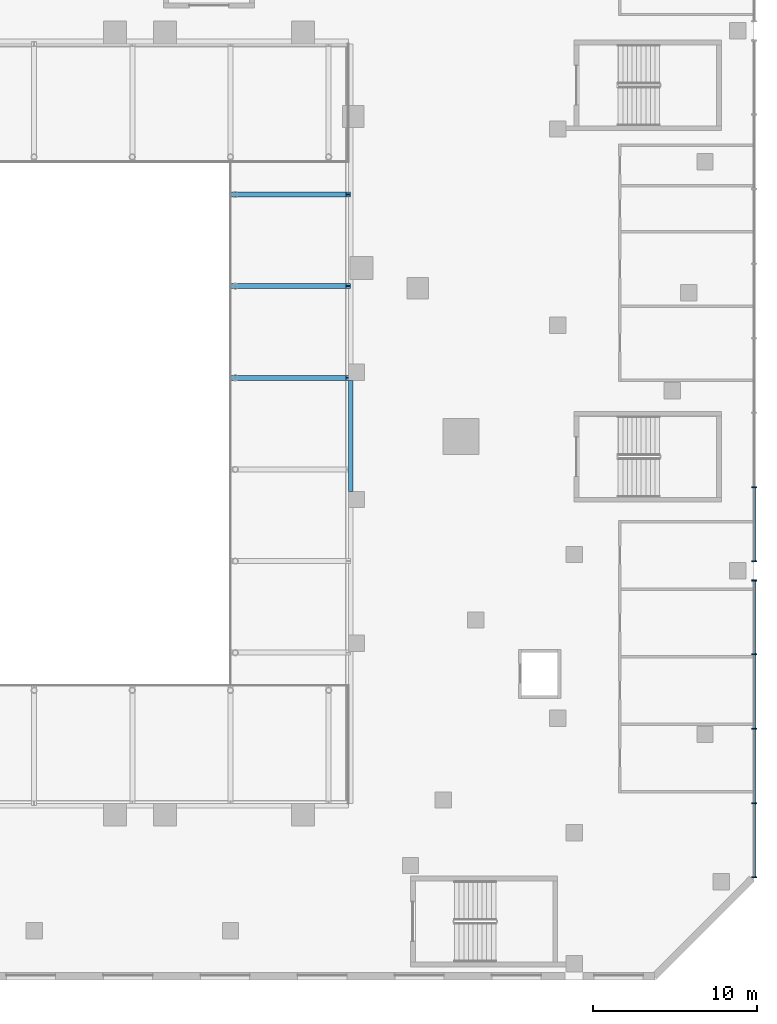
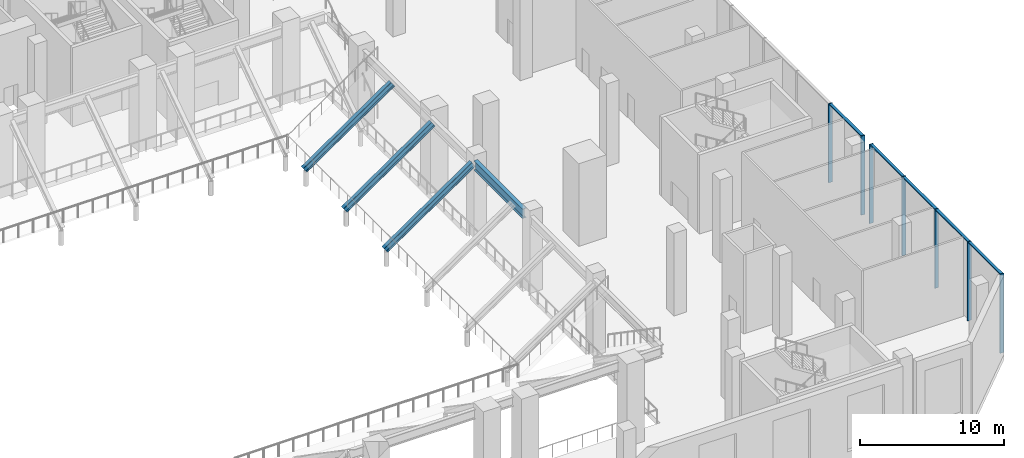
# One storey, part 13 of 41: 12 members, 4 beams, 2 elements without a shape of their own.
"""IFC4 building model written with IfcOpenShell, lengths in metres."""

from ifc_helpers import new_model, si_unit, direction, frame, origin, origin_2d, place, context, subcontext, project, spatial, rectangle, i_section, extrude, material, material_profile, profile_set, type_object, element, aggregate, save


model = new_model("IFC4")

# Units and contexts
model_context = context("Model", 3, precision=1e-05, world=origin(), true_north=direction((0.0, 1.0)))
body_context = subcontext(model_context, "Body", "Model", "MODEL_VIEW")
ifc_project = project(units=[si_unit("LENGTHUNIT", "METRE"), si_unit("AREAUNIT", "SQUARE_METRE"), si_unit("VOLUMEUNIT", "CUBIC_METRE"), si_unit("PLANEANGLEUNIT", "RADIAN"), si_unit("MASSUNIT", "GRAM", prefix="KILO")], contexts=[model_context])

# Site, building, storey
site_placement = place(None, origin())
site = spatial("IfcSite", under=ifc_project, at=site_placement, CompositionType="ELEMENT")
building_placement = place(site_placement, origin())
building = spatial("IfcBuilding", under=site, at=building_placement, Name="Wharfspan Tower", CompositionType="ELEMENT")
storey_placement = place(building_placement, frame((0.0, 0.0, 8.0)))
storey = spatial("IfcBuildingStorey", under=building, at=storey_placement, Name="L01", CompositionType="ELEMENT", Elevation=8.0)

# Curtain wall, members
ifc_material_1 = material(Name="Aluminium 6063-T6", Category="aluminium")
curtain_wall_type = type_object("IfcCurtainWallType", Name="CURTAIN WALL ARENA STICK WALL", PredefinedType="NOTDEFINED", material=ifc_material_1)
curtain_wall_1_placement = place(storey_placement, origin())
curtain_wall_1 = element("IfcCurtainWall", 1, at=curtain_wall_1_placement, inside=storey, type_object=curtain_wall_type, Name="Concourse stick wall PF3.1", PredefinedType="NOTDEFINED")
ifc_material_profile_1 = material_profile(ifc_material_1, rectangle(XDim=0.300049, YDim=0.070068, at=origin_2d()))
ifc_profile_set_1 = profile_set([ifc_material_profile_1], Name="Aluminium 6063-T6")
member_type_1 = type_object("IfcMemberType", Name="MULLION ARENA STICK WALL 70x300", PredefinedType="MULLION", material=ifc_profile_set_1)
member_1_placement = place(storey_placement, frame((108.0, -25.715088, 0.0), z_axis=(0.0, 0.0, 1.0), x_axis=(-1.0, 0.0, 0.0)))
member_1 = element("IfcMember", 2, at=member_1_placement, type_object=member_type_1, Name="Concourse stick wall PF3.1 mullion 1", PredefinedType="MULLION", context=body_context, shape_type="SweptSolid", body=[
    extrude(rectangle(XDim=0.300049, YDim=0.070068, at=origin_2d()), origin(), (0.0, 0.0, 1.0), 6.699951),
])
member_2_placement = place(storey_placement, frame((108.0, -21.199951, 0.0), z_axis=(0.0, 0.0, 1.0), x_axis=(-1.0, 0.0, 0.0)))
member_2 = element("IfcMember", 3, at=member_2_placement, type_object=member_type_1, Name="Concourse stick wall PF3.1 mullion 2", PredefinedType="MULLION", context=body_context, shape_type="SweptSolid", body=[
    extrude(rectangle(XDim=0.300049, YDim=0.070068, at=origin_2d()), origin(), (0.0, 0.0, 1.0), 6.699951),
])
member_3_placement = place(storey_placement, frame((108.0, -16.649902, 0.0), z_axis=(0.0, 0.0, 1.0), x_axis=(-1.0, 0.0, 0.0)))
member_3 = element("IfcMember", 4, at=member_3_placement, type_object=member_type_1, Name="Concourse stick wall PF3.1 mullion 3", PredefinedType="MULLION", context=body_context, shape_type="SweptSolid", body=[
    extrude(rectangle(XDim=0.300049, YDim=0.070068, at=origin_2d()), origin(), (0.0, 0.0, 1.0), 6.699951),
])
member_4_placement = place(storey_placement, frame((108.0, -12.100098, 0.0), z_axis=(0.0, 0.0, 1.0), x_axis=(-1.0, 0.0, 0.0)))
member_4 = element("IfcMember", 5, at=member_4_placement, type_object=member_type_1, Name="Concourse stick wall PF3.1 mullion 4", PredefinedType="MULLION", context=body_context, shape_type="SweptSolid", body=[
    extrude(rectangle(XDim=0.300049, YDim=0.070068, at=origin_2d()), origin(), (0.0, 0.0, 1.0), 6.699951),
])
member_5_placement = place(storey_placement, frame((108.0, -7.584961, 0.0), z_axis=(0.0, 0.0, 1.0), x_axis=(-1.0, 0.0, 0.0)))
member_5 = element("IfcMember", 6, at=member_5_placement, type_object=member_type_1, Name="Concourse stick wall PF3.1 mullion 5", PredefinedType="MULLION", context=body_context, shape_type="SweptSolid", body=[
    extrude(rectangle(XDim=0.300049, YDim=0.070068, at=origin_2d()), origin(), (0.0, 0.0, 1.0), 6.699951),
])

curtain_wall_2_placement = place(storey_placement, origin())
curtain_wall_2 = element("IfcCurtainWall", 7, at=curtain_wall_2_placement, inside=storey, type_object=curtain_wall_type, Name="Concourse stick wall PF3.2", PredefinedType="NOTDEFINED")
member_6_placement = place(storey_placement, frame((108.0, -6.415039, 0.0), z_axis=(0.0, 0.0, 1.0), x_axis=(-1.0, 0.0, 0.0)))
member_6 = element("IfcMember", 8, at=member_6_placement, type_object=member_type_1, Name="Concourse stick wall PF3.2 mullion 1", PredefinedType="MULLION", context=body_context, shape_type="SweptSolid", body=[
    extrude(rectangle(XDim=0.300049, YDim=0.070068, at=origin_2d()), origin(), (0.0, 0.0, 1.0), 6.699951),
])
member_7_placement = place(storey_placement, frame((108.0, -1.892822, 0.0), z_axis=(0.0, 0.0, 1.0), x_axis=(-1.0, 0.0, 0.0)))
member_7 = element("IfcMember", 9, at=member_7_placement, type_object=member_type_1, Name="Concourse stick wall PF3.2 mullion 2", PredefinedType="MULLION", context=body_context, shape_type="SweptSolid", body=[
    extrude(rectangle(XDim=0.300049, YDim=0.070068, at=origin_2d()), origin(), (0.0, 0.0, 1.0), 6.699951),
])

# Beams
ifc_material_2 = material(Name="Steel S460M", Category="steel")
ifc_material_profile_2 = material_profile(ifc_material_2, i_section(OverallWidth=0.305908, OverallDepth=0.523926, WebThickness=0.020996, FlangeThickness=0.040039, FilletRadius=0.0271, at=origin_2d()))
ifc_profile_set_2 = profile_set([ifc_material_profile_2], Name="Steel S460M")
beam_type_1 = type_object("IfcBeamType", Name="Raker beam HE 500 M", PredefinedType="BEAM", material=ifc_profile_set_2)
for number, where, z_axis, x_axis, name in (
    (10, (76.148438, 4.800049, 1.384033), (0.824029, 0.0, 0.566547), (0.0, 1.0, 0.0), "Upper tier raker beam"),
    (11, (76.148438, 10.399902, 1.384033), (0.824029, 0.0, 0.566547), (0.0, 1.0, 0.0), "Upper tier raker beam"),
    (12, (76.148438, 16.0, 1.384033), (0.824029, 0.0, 0.566547), (0.0, 1.0, 0.0), "Upper tier raker beam"),
):
    element("IfcBeam", number, at=place(storey_placement, frame(where, z_axis=z_axis, x_axis=x_axis)), inside=storey, type_object=beam_type_1, Name=name, PredefinedType="BEAM", context=body_context, shape_type="SweptSolid", body=[
        extrude(i_section(OverallWidth=0.305908, OverallDepth=0.523926, WebThickness=0.020996, FlangeThickness=0.040039, FilletRadius=0.0271, at=origin_2d()), origin(), (0.0, 0.0, 1.0), 8.557373),
    ])
ifc_material_profile_3 = material_profile(ifc_material_2, i_section(OverallWidth=0.302979, OverallDepth=0.813965, WebThickness=0.020996, FlangeThickness=0.040039, FilletRadius=0.030029, at=origin_2d()))
ifc_profile_set_3 = profile_set([ifc_material_profile_3], Name="Steel S460M")
beam_type_2 = type_object("IfcBeamType", Name="Ring girder HE 800 M", PredefinedType="BEAM", material=ifc_profile_set_3)
beam_placement = place(storey_placement, frame((83.351562, -2.139893, 6.143066), z_axis=(0.0, 1.0, 0.0), x_axis=(-1.0, 0.0, 0.0)))
element("IfcBeam", 13, at=beam_placement, inside=storey, type_object=beam_type_2, Name="Ring girder of the upper tier", PredefinedType="BEAM", context=body_context, shape_type="SweptSolid", body=[
    extrude(i_section(OverallWidth=0.302979, OverallDepth=0.813965, WebThickness=0.020996, FlangeThickness=0.040039, FilletRadius=0.030029, at=origin_2d()), origin(), (0.0, 0.0, 1.0), 6.779785),
])

# Member
ifc_material_profile_4 = material_profile(ifc_material_1, rectangle(XDim=0.219971, YDim=0.090088, at=origin_2d()))
ifc_profile_set_4 = profile_set([ifc_material_profile_4], Name="Aluminium 6063-T6")
member_type_2 = type_object("IfcMemberType", Name="TRANSOM ARENA STICK WALL 90x220", PredefinedType="USERDEFINED", material=ifc_profile_set_4)
member_8_placement = place(storey_placement, frame((108.0, -25.679932, 6.655029), z_axis=(0.0, 1.0, 0.0), x_axis=(-1.0, 0.0, 0.0)))
member_8 = element("IfcMember", 14, at=member_8_placement, type_object=member_type_2, Name="Concourse stick wall PF3.1 transom 1", ObjectType="TRANSOM", PredefinedType="USERDEFINED", context=body_context, shape_type="SweptSolid", body=[
    extrude(rectangle(XDim=0.219971, YDim=0.090088, at=origin_2d()), origin(), (0.0, 0.0, 1.0), 4.444824),
])

member_9_placement = place(storey_placement, frame((108.0, -21.165039, 6.655029), z_axis=(0.0, 1.0, 0.0), x_axis=(-1.0, 0.0, 0.0)))
member_9 = element("IfcMember", 15, at=member_9_placement, type_object=member_type_2, Name="Concourse stick wall PF3.1 transom 2", ObjectType="TRANSOM", PredefinedType="USERDEFINED", context=body_context, shape_type="SweptSolid", body=[
    extrude(rectangle(XDim=0.219971, YDim=0.090088, at=origin_2d()), origin(), (0.0, 0.0, 1.0), 4.47998),
])

member_10_placement = place(storey_placement, frame((108.0, -16.61499, 6.655029), z_axis=(0.0, 1.0, 0.0), x_axis=(-1.0, 0.0, 0.0)))
member_10 = element("IfcMember", 16, at=member_10_placement, type_object=member_type_2, Name="Concourse stick wall PF3.1 transom 3", ObjectType="TRANSOM", PredefinedType="USERDEFINED", context=body_context, shape_type="SweptSolid", body=[
    extrude(rectangle(XDim=0.219971, YDim=0.090088, at=origin_2d()), origin(), (0.0, 0.0, 1.0), 4.47998),
])

member_11_placement = place(storey_placement, frame((108.0, -12.064941, 6.655029), z_axis=(0.0, 1.0, 0.0), x_axis=(-1.0, 0.0, 0.0)))
member_11 = element("IfcMember", 17, at=member_11_placement, type_object=member_type_2, Name="Concourse stick wall PF3.1 transom 4", ObjectType="TRANSOM", PredefinedType="USERDEFINED", context=body_context, shape_type="SweptSolid", body=[
    extrude(rectangle(XDim=0.219971, YDim=0.090088, at=origin_2d()), origin(), (0.0, 0.0, 1.0), 4.444824),
])

aggregate(curtain_wall_1, [member_1, member_2, member_3, member_4, member_5, member_8, member_9, member_10, member_11])

member_12_placement = place(storey_placement, frame((108.0, -6.379883, 6.655029), z_axis=(0.0, 1.0, 0.0), x_axis=(-1.0, 0.0, 0.0)))
member_12 = element("IfcMember", 18, at=member_12_placement, type_object=member_type_2, Name="Concourse stick wall PF3.2 transom 1", ObjectType="TRANSOM", PredefinedType="USERDEFINED", context=body_context, shape_type="SweptSolid", body=[
    extrude(rectangle(XDim=0.219971, YDim=0.090088, at=origin_2d()), origin(), (0.0, 0.0, 1.0), 4.451904),
])

aggregate(curtain_wall_2, [member_6, member_7, member_12])

save(model, "model.ifc")
